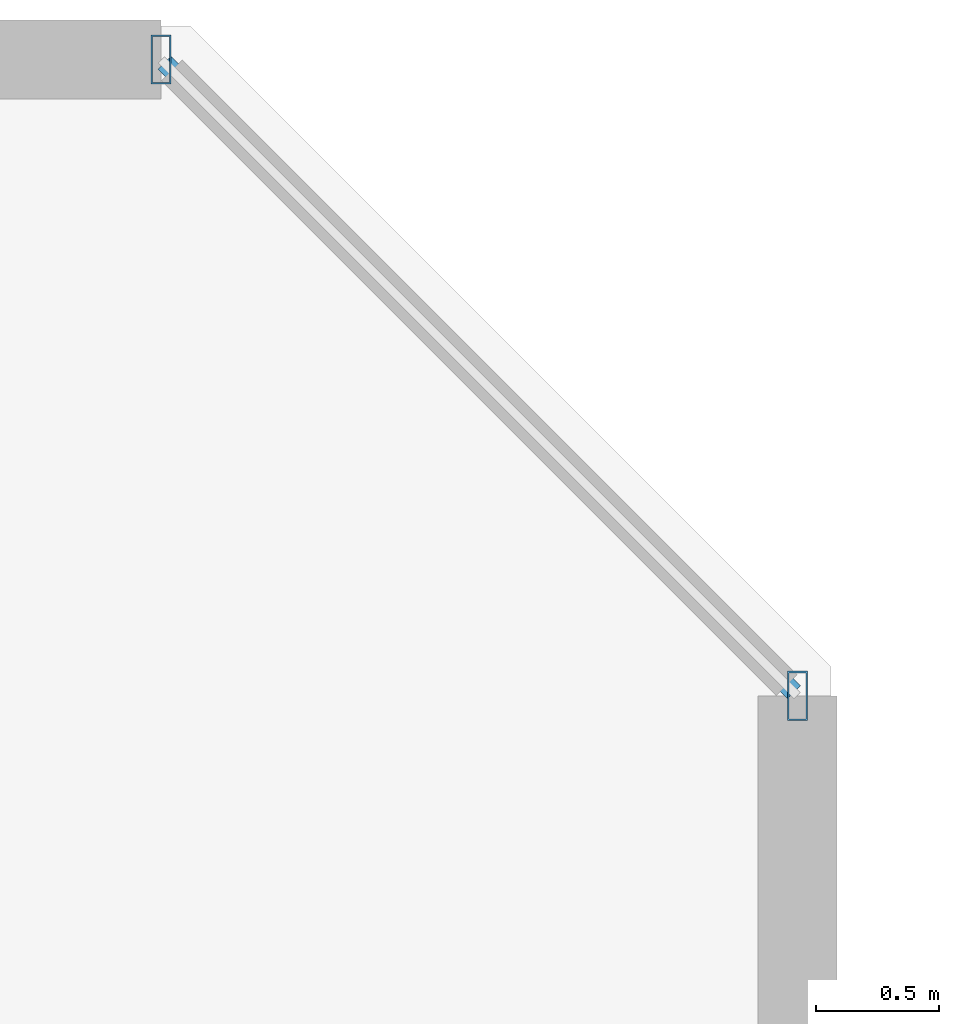
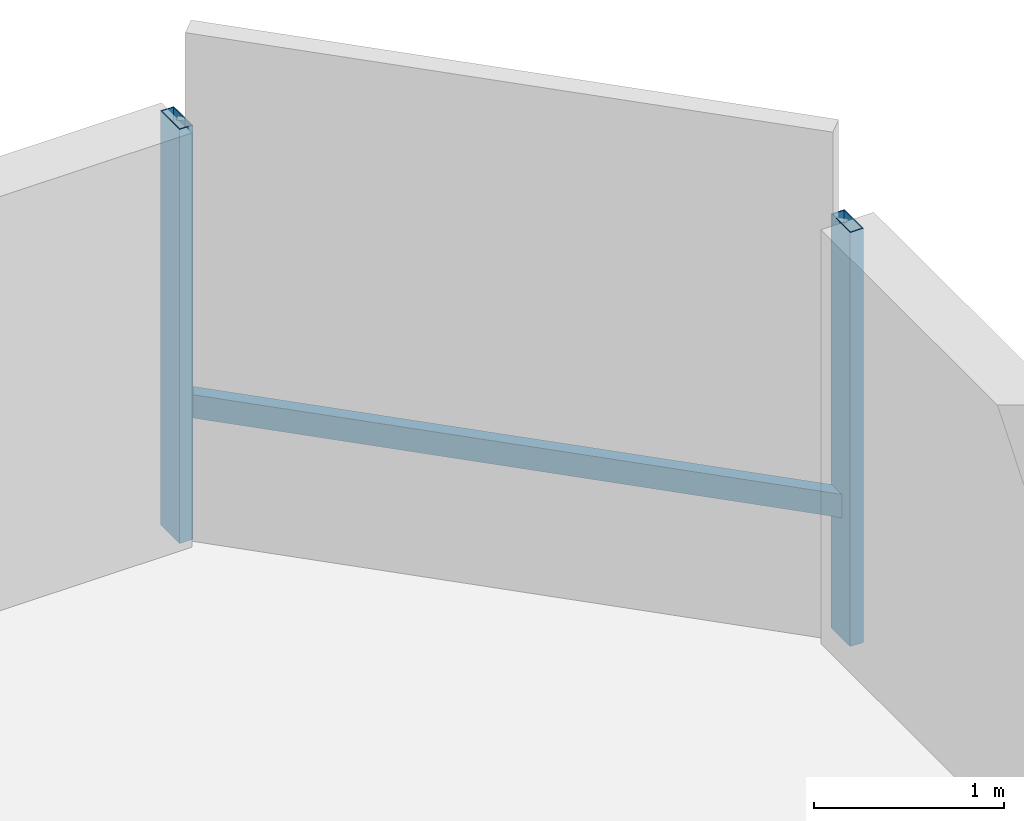
# One storey, part 16 of 34: 3 members, 1 element without a shape of its own.
"""IFC4 building model written with IfcOpenShell, lengths in metres."""

from ifc_helpers import new_model, si_unit, direction, frame, origin, origin_2d, place, context, subcontext, project, spatial, hollow_rectangle, extrude, material, material_profile, profile_set, type_object, element, aggregate, save


model = new_model("IFC4")

# Units and contexts
model_context = context("Model", 3, precision=1e-05, world=origin(), true_north=direction((0.0, 1.0)))
body_context = subcontext(model_context, "Body", "Model", "MODEL_VIEW")
ifc_project = project(units=[si_unit("LENGTHUNIT", "METRE"), si_unit("AREAUNIT", "SQUARE_METRE"), si_unit("VOLUMEUNIT", "CUBIC_METRE"), si_unit("PLANEANGLEUNIT", "RADIAN"), si_unit("MASSUNIT", "GRAM", prefix="KILO")], contexts=[model_context])

# Site, building, storey
site_placement = place(None, origin())
site = spatial("IfcSite", under=ifc_project, at=site_placement, CompositionType="ELEMENT")
building_placement = place(site_placement, origin())
building = spatial("IfcBuilding", under=site, at=building_placement, Name="Thornwick Lancets Civic Towers", CompositionType="ELEMENT")
storey_placement = place(building_placement, frame((0.0, 0.0, 137.699951171875)))
storey = spatial("IfcBuildingStorey", under=building, at=storey_placement, Name="L36", CompositionType="ELEMENT", Elevation=137.699951171875)

# Curtain wall, members
ifc_material_1 = material(Name="Mid-zone chamfered-corner unitised glass curtain wall", Category="glass")
curtain_wall_type = type_object("IfcCurtainWallType", Name="CW_SYS_04", PredefinedType="NOTDEFINED", material=ifc_material_1)
curtain_wall_placement = place(storey_placement, origin())
curtain_wall = element("IfcCurtainWall", 1, at=curtain_wall_placement, inside=storey, type_object=curtain_wall_type, Name="L36 Curtain Wall CW-L36-B-E3", PredefinedType="NOTDEFINED")
ifc_material_2 = material(Name="Thermally broken bronze aluminium S355", Category="steel")
ifc_material_profile_1 = material_profile(ifc_material_2, hollow_rectangle(XDim=0.080078125, YDim=0.199951171875, WallThickness=0.006103515625, at=origin_2d()), Name="RHS 200x80x6")
ifc_profile_set_1 = profile_set([ifc_material_profile_1], Name="Thermally broken bronze aluminium S355")
member_type_1 = type_object("IfcMemberType", Name="CW_MUL_200", PredefinedType="MULLION", material=ifc_profile_set_1)
member_1_placement = place(storey_placement, frame((112.2646484375, 42.181396484375, 0.0), z_axis=(0.0, 0.0, 1.0), x_axis=(1.0, 0.0, 0.0)))
member_1 = element("IfcMember", 2, at=member_1_placement, type_object=member_type_1, Name="CW-L36-B-E3 Mullion 0", PredefinedType="MULLION", context=body_context, shape_type="SweptSolid", body=[
    extrude(hollow_rectangle(XDim=0.080078125, YDim=0.199951171875, WallThickness=0.006103515625, at=origin_2d()), origin(), (0.0, 0.0, 1.0), 2.66015625),
])
member_2_placement = place(storey_placement, frame((109.681396484375, 44.7646484375, 0.0), z_axis=(0.0, 0.0, 1.0), x_axis=(1.0, 0.0, 0.0)))
member_2 = element("IfcMember", 3, at=member_2_placement, type_object=member_type_1, Name="CW-L36-B-E3 Mullion 1", PredefinedType="MULLION", context=body_context, shape_type="SweptSolid", body=[
    extrude(hollow_rectangle(XDim=0.080078125, YDim=0.199951171875, WallThickness=0.006103515625, at=origin_2d()), origin(), (0.0, 0.0, 1.0), 2.66015625),
])
ifc_material_profile_2 = material_profile(ifc_material_2, hollow_rectangle(XDim=0.074951171875, YDim=0.14990234375, WallThickness=0.0048828125, at=origin_2d()), Name="RHS 150x75x5")
ifc_profile_set_2 = profile_set([ifc_material_profile_2], Name="Thermally broken bronze aluminium S355")
member_type_2 = type_object("IfcMemberType", Name="CW_TRN_150", PredefinedType="USERDEFINED", material=ifc_profile_set_2)
member_3_placement = place(storey_placement, frame((112.25048828125, 42.195556640625, 0.85009765625), z_axis=(-0.707106781187, 0.707106781187, 0.0), x_axis=(-0.707106781187, -0.707106781187, 0.0)))
member_3 = element("IfcMember", 4, at=member_3_placement, type_object=member_type_2, Name="CW-L36-B-E3 Transom 0", ObjectType="TRANSOM", PredefinedType="USERDEFINED", context=body_context, shape_type="SweptSolid", body=[
    extrude(hollow_rectangle(XDim=0.074951171875, YDim=0.14990234375, WallThickness=0.0048828125, at=origin_2d()), origin(), (0.0, 0.0, 1.0), 3.61328125),
])
aggregate(curtain_wall, [member_1, member_2, member_3])

save(model, "model.ifc")
